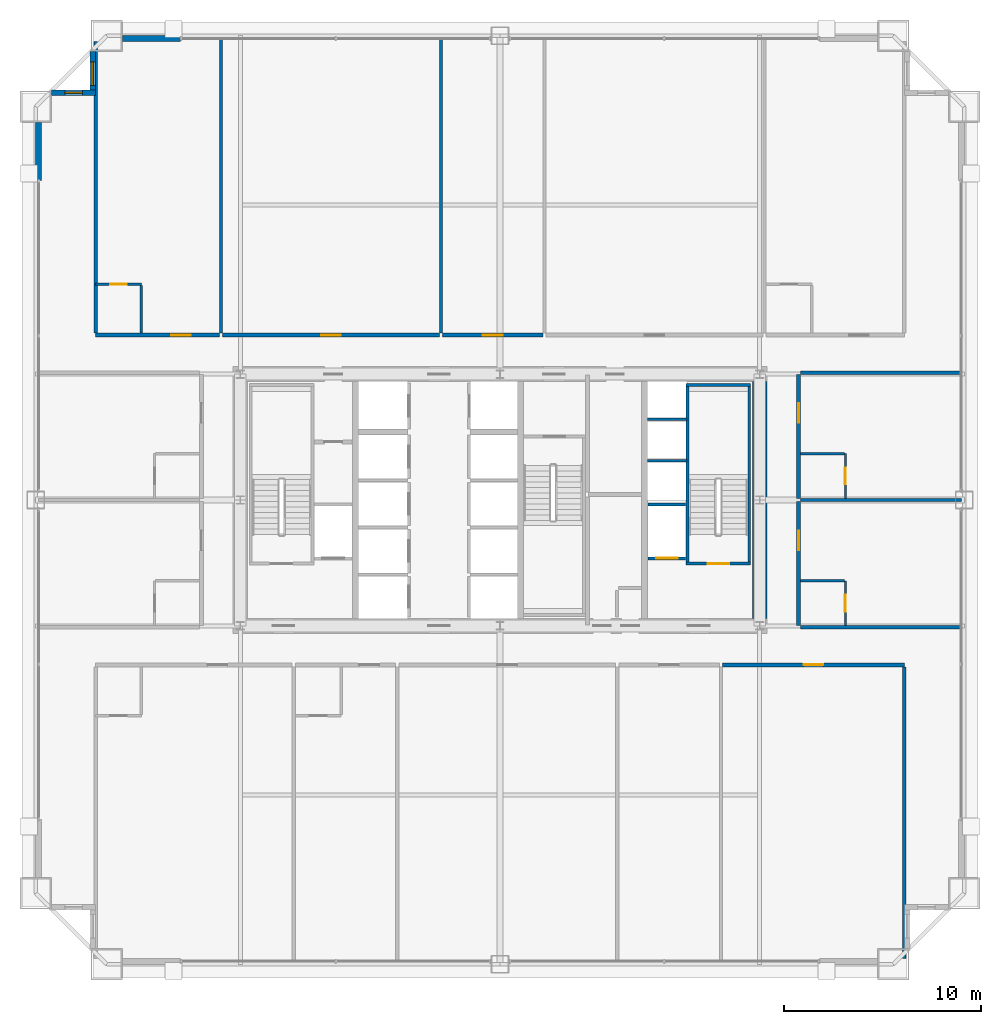
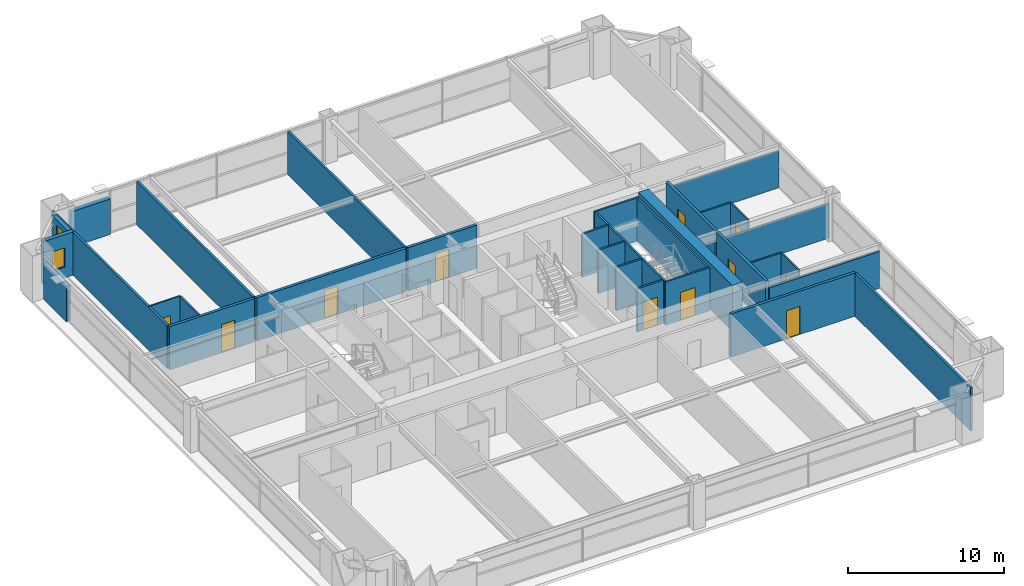
# One storey, part 37 of 39: 32 walls, 11 doors, 2 windows, 13 openings.
"""IFC4 building model written with IfcOpenShell, lengths in metres."""

from ifc_helpers import new_model, si_unit, direction, frame, frame_2d, origin, place, context, subcontext, project, spatial, rectangle, extrude, source, transform, mapped, material, layer, layer_set, type_object, element, fill, save


model = new_model("IFC4")

# Units and contexts
model_context = context("Model", 3, precision=1e-05, world=origin(), true_north=direction((0.0, 1.0)))
body_context = subcontext(model_context, "Body", "Model", "MODEL_VIEW")
ifc_project = project(units=[si_unit("LENGTHUNIT", "METRE"), si_unit("AREAUNIT", "SQUARE_METRE"), si_unit("VOLUMEUNIT", "CUBIC_METRE"), si_unit("PLANEANGLEUNIT", "RADIAN"), si_unit("MASSUNIT", "GRAM", prefix="KILO"), si_unit("THERMODYNAMICTEMPERATUREUNIT", "KELVIN"), si_unit("POWERUNIT", "WATT")], contexts=[model_context])

# Site, building, storey
site_placement = place(None, origin())
site = spatial("IfcSite", under=ifc_project, at=site_placement, CompositionType="ELEMENT")
building_placement = place(site_placement, origin())
building = spatial("IfcBuilding", under=site, at=building_placement, Name="Yuzanri Waterfront Tower", CompositionType="ELEMENT")
storey_placement = place(building_placement, frame((0.0, 0.0, 134.39990234375)))
storey = spatial("IfcBuildingStorey", under=building, at=storey_placement, Name="L35", CompositionType="ELEMENT", Elevation=134.39990234375)

# Wall, opening, door
ifc_material_1 = material(Name="Moisture-Resistant Gypsum Stud Wall", Category="gypsum")
ifc_layer_1 = layer(ifc_material_1, 0.1201171875)
ifc_layer_set_1 = layer_set([ifc_layer_1], Name="Moisture-Resistant Gypsum Stud Wall")
wall_type_1 = type_object("IfcWallType", Name="Bathroom and Kitchen Wet Partition 120", PredefinedType="PARTITIONING", material=ifc_layer_set_1)
wall_1_placement = place(storey_placement, frame((16.43994140625, 36.760009765625, 0.0), z_axis=(0.0, 0.0, 1.0), x_axis=(1.0, 0.0, 0.0)))
wall_1 = element("IfcWall", 1, at=wall_1_placement, inside=storey, type_object=wall_type_1, Name="L35 Partition UW-L35-N1-BN", PredefinedType="PARTITIONING", context=body_context, shape_type="SweptSolid", body=[
    extrude(rectangle(XDim=2.330078125, YDim=0.1201171875, at=frame_2d((1.1650390625, 0.0))), origin(), (0.0, 0.0, 1.0), 3.380126953125),
])
opening_1_placement = place(wall_1_placement, frame((0.739990234375, 0.0, 0.0)))
opening_1 = element("IfcOpeningElement", 2, at=opening_1_placement, cuts=wall_1, Name="Opening ID-0850", PredefinedType="OPENING", context=body_context, shape_type="SweptSolid", body=[
    extrude(rectangle(XDim=0.85009765625, YDim=2.10009765625, at=frame_2d((0.425048828125, 1.050048828125))), frame((0.0, 0.074951171875, 0.0), z_axis=(0.0, -1.0, 0.0), x_axis=(1.0, 0.0, 0.0)), (0.0, 0.0, 1.0), 0.14990234375),
])
ifc_material_2 = material(Name="Moisture-Resistant Lacquered Timber", Category="wood")
door_type_1 = type_object("IfcDoorType", Name="En-Suite Bathroom and Kitchen Swing Door 850x2100", OperationType="NOTDEFINED", PredefinedType="DOOR", material=ifc_material_2)
shared_shape_1 = source(origin(), body_context, "Body", "SweptSolid", [
    extrude(rectangle(XDim=0.85009765625, YDim=2.10009765625, at=frame_2d((0.425048828125, 1.050048828125))), frame((0.0, 0.02490234375, 0.0), z_axis=(0.0, -1.0, 0.0), x_axis=(1.0, 0.0, 0.0)), (0.0, 0.0, 1.0), 0.050048828125),
])
door_1_placement = place(opening_1_placement, origin())
door_1 = element("IfcDoor", 3, at=door_1_placement, inside=storey, type_object=door_type_1, Name="L35 Guest En-Suite Door", OperationType="SINGLE_SWING_LEFT", OverallHeight=2.10009765625, OverallWidth=0.85009765625, PredefinedType="DOOR", context=body_context, shape_type="MappedRepresentation", body=[
    mapped(shared_shape_1, transform((0.0, 0.0, 0.0), scale=1.0)),
])
fill(opening_1, door_1)

wall_2_placement = place(storey_placement, frame((54.56005859375, 19.409912109375, 0.0), z_axis=(0.0, 0.0, 1.0), x_axis=(0.0, 1.0, 0.0)))
wall_2 = element("IfcWall", 4, at=wall_2_placement, inside=storey, type_object=wall_type_1, Name="L35 Partition UW-L35-E1-BE2", PredefinedType="PARTITIONING", context=body_context, shape_type="SweptSolid", body=[
    extrude(rectangle(XDim=2.280029296875, YDim=0.1201171875, at=frame_2d((1.14013671875, 0.0))), origin(), (0.0, 0.0, 1.0), 3.380126953125),
])
opening_2_placement = place(wall_2_placement, frame((0.715087890625, 0.0, 0.0)))
opening_2 = element("IfcOpeningElement", 5, at=opening_2_placement, cuts=wall_2, Name="Opening ID-0850", PredefinedType="OPENING", context=body_context, shape_type="SweptSolid", body=[
    extrude(rectangle(XDim=0.85009765625, YDim=2.10009765625, at=frame_2d((0.425048828125, 1.050048828125))), frame((0.0, 0.074951171875, 0.0), z_axis=(0.0, -1.0, 0.0), x_axis=(1.0, 0.0, 0.0)), (0.0, 0.0, 1.0), 0.14990234375),
])
door_2_placement = place(opening_2_placement, origin())
door_2 = element("IfcDoor", 6, at=door_2_placement, inside=storey, type_object=door_type_1, Name="L35 Guest En-Suite Door", OperationType="SINGLE_SWING_RIGHT", OverallHeight=2.10009765625, OverallWidth=0.85009765625, PredefinedType="DOOR", context=body_context, shape_type="MappedRepresentation", body=[
    mapped(shared_shape_1, transform((0.0, 0.0, 0.0), scale=1.0)),
])
fill(opening_2, door_2)

wall_3_placement = place(storey_placement, frame((54.56005859375, 25.8798828125, 0.0), z_axis=(0.0, 0.0, 1.0), x_axis=(0.0, 1.0, 0.0)))
wall_3 = element("IfcWall", 7, at=wall_3_placement, inside=storey, type_object=wall_type_1, Name="L35 Partition UW-L35-E2-BE2", PredefinedType="PARTITIONING", context=body_context, shape_type="SweptSolid", body=[
    extrude(rectangle(XDim=2.280029296875, YDim=0.1201171875, at=frame_2d((1.14013671875, 0.0))), origin(), (0.0, 0.0, 1.0), 3.380126953125),
])
opening_3_placement = place(wall_3_placement, frame((0.715087890625, 0.0, 0.0)))
opening_3 = element("IfcOpeningElement", 8, at=opening_3_placement, cuts=wall_3, Name="Opening ID-0850", PredefinedType="OPENING", context=body_context, shape_type="SweptSolid", body=[
    extrude(rectangle(XDim=0.85009765625, YDim=2.10009765625, at=frame_2d((0.425048828125, 1.050048828125))), frame((0.0, 0.074951171875, 0.0), z_axis=(0.0, -1.0, 0.0), x_axis=(1.0, 0.0, 0.0)), (0.0, 0.0, 1.0), 0.14990234375),
])
door_3_placement = place(opening_3_placement, origin())
door_3 = element("IfcDoor", 9, at=door_3_placement, inside=storey, type_object=door_type_1, Name="L35 Guest En-Suite Door", OperationType="SINGLE_SWING_RIGHT", OverallHeight=2.10009765625, OverallWidth=0.85009765625, PredefinedType="DOOR", context=body_context, shape_type="MappedRepresentation", body=[
    mapped(shared_shape_1, transform((0.0, 0.0, 0.0), scale=1.0)),
])
fill(opening_3, door_3)

# Wall, opening, window
ifc_material_3 = material(Name="Honed Chongqing Dark Basalt Stone", Category="masonry")
ifc_layer_2 = layer(ifc_material_3, 0.300048828125)
ifc_layer_set_2 = layer_set([ifc_layer_2], Name="Honed Chongqing Dark Basalt Stone")
wall_type_2 = type_object("IfcWallType", Name="Bronze Rainscreen Insulated Spandrel Portal Wall 300", PredefinedType="SOLIDWALL", material=ifc_layer_set_2)
wall_4_placement = place(storey_placement, frame((16.449951171875, 46.5, 0.0), z_axis=(0.0, 0.0, 1.0), x_axis=(-1.0, 0.0, 0.0)))
wall_4 = element("IfcWall", 10, at=wall_4_placement, inside=storey, type_object=wall_type_2, Name="L35 Notched Corner Masonry Wall NW-X", PredefinedType="SOLIDWALL", context=body_context, shape_type="SweptSolid", body=[
    extrude(rectangle(XDim=2.25, YDim=0.300048828125, at=frame_2d((1.125, 0.0))), origin(), (0.0, 0.0, 1.0), 3.380126953125),
])
opening_4_placement = place(wall_4_placement, frame((0.675048828125, 0.0, 0.85009765625)))
opening_4 = element("IfcOpeningElement", 11, at=opening_4_placement, cuts=wall_4, Name="Opening WN-05", PredefinedType="OPENING", context=body_context, shape_type="SweptSolid", body=[
    extrude(rectangle(XDim=0.89990234375, YDim=1.5, at=frame_2d((0.449951171875, 0.75))), frame((0.0, 0.1650390625, 0.0), z_axis=(0.0, -1.0, 0.0), x_axis=(1.0, 0.0, 0.0)), (0.0, 0.0, 1.0), 0.329833984375),
])
ifc_material_4 = material(Name="Double-Silver Low-E Insulated Glass", Category="glass")
window_type_1 = type_object("IfcWindowType", Name="Anodized Bronze Service and Stairwell Smoke-Vent Window 900x1500", PartitioningType="SINGLE_PANEL", PredefinedType="WINDOW", material=ifc_material_4)
shared_shape_2 = source(origin(), body_context, "Body", "SweptSolid", [
    extrude(rectangle(XDim=0.89990234375, YDim=1.5, at=frame_2d((0.449951171875, 0.75))), frame((0.0, 0.030029296875, 0.0), z_axis=(0.0, -1.0, 0.0), x_axis=(1.0, 0.0, 0.0)), (0.0, 0.0, 1.0), 0.06005859375),
])
window_1_placement = place(opening_4_placement, origin())
window_1 = element("IfcWindow", 12, at=window_1_placement, inside=storey, type_object=window_type_1, Name="L35 Notched Corner Window NW-X", OverallHeight=1.5, OverallWidth=0.89990234375, PartitioningType="SINGLE_PANEL", PredefinedType="WINDOW", context=body_context, shape_type="MappedRepresentation", body=[
    mapped(shared_shape_2, transform((0.0, 0.0, 0.0), scale=1.0)),
])
fill(opening_4, window_1)

wall_5_placement = place(storey_placement, frame((16.300048828125, 48.60009765625, 0.0), z_axis=(0.0, 0.0, 1.0), x_axis=(0.0, -1.0, 0.0)))
wall_5 = element("IfcWall", 13, at=wall_5_placement, inside=storey, type_object=wall_type_2, Name="L35 Notched Corner Masonry Wall NW-Y", PredefinedType="SOLIDWALL", context=body_context, shape_type="SweptSolid", body=[
    extrude(rectangle(XDim=2.25, YDim=0.300048828125, at=frame_2d((1.125, 0.0))), origin(), (0.0, 0.0, 1.0), 3.380126953125),
])
opening_5_placement = place(wall_5_placement, frame((0.52490234375, 0.0, 0.85009765625)))
opening_5 = element("IfcOpeningElement", 14, at=opening_5_placement, cuts=wall_5, Name="Opening WN-02", PredefinedType="OPENING", context=body_context, shape_type="SweptSolid", body=[
    extrude(rectangle(XDim=1.199951171875, YDim=2.10009765625, at=frame_2d((0.60009765625, 1.050048828125))), frame((0.0, 0.1650390625, 0.0), z_axis=(0.0, -1.0, 0.0), x_axis=(1.0, 0.0, 0.0)), (0.0, 0.0, 1.0), 0.329833984375),
])
ifc_material_5 = material(Name="Double-Silver Low-E Insulated Glass", Category="glass")
window_type_2 = type_object("IfcWindowType", Name="Anodized Bronze Notched Corner Deep-Set Slot Window 1200x2100", PartitioningType="SINGLE_PANEL", PredefinedType="WINDOW", material=ifc_material_5)
shared_shape_3 = source(origin(), body_context, "Body", "SweptSolid", [
    extrude(rectangle(XDim=1.199951171875, YDim=2.10009765625, at=frame_2d((0.60009765625, 1.050048828125))), frame((0.0, 0.030029296875, 0.0), z_axis=(0.0, -1.0, 0.0), x_axis=(1.0, 0.0, 0.0)), (0.0, 0.0, 1.0), 0.06005859375),
])
window_2_placement = place(opening_5_placement, origin())
window_2 = element("IfcWindow", 15, at=window_2_placement, inside=storey, type_object=window_type_2, Name="L35 Notched Corner Window NW-Y", OverallHeight=2.10009765625, OverallWidth=1.199951171875, PartitioningType="SINGLE_PANEL", PredefinedType="WINDOW", context=body_context, shape_type="MappedRepresentation", body=[
    mapped(shared_shape_3, transform((0.0, 0.0, 0.0), scale=1.0)),
])
fill(opening_5, window_2)

# Wall, opening, door
ifc_material_6 = material(Name="Concrete C40", Category="concrete")
ifc_layer_3 = layer(ifc_material_6, 0.139892578125)
ifc_layer_set_3 = layer_set([ifc_layer_3], Name="Concrete C40")
wall_type_3 = type_object("IfcWallType", Name="Core Stair Liner and Hoistway Shaft Wall 140", PredefinedType="SOLIDWALL", material=ifc_layer_set_3)
wall_6_placement = place(storey_placement, frame((44.52001953125, 22.830078125, 0.0), z_axis=(0.0, 0.0, 1.0), x_axis=(1.0, 0.0, 0.0)))
wall_6 = element("IfcWall", 16, at=wall_6_placement, inside=storey, type_object=wall_type_3, Name="L35 Lift FL-02 Front Shaft Wall", PredefinedType="SOLIDWALL", context=body_context, shape_type="SweptSolid", body=[
    extrude(rectangle(XDim=1.919921875, YDim=0.139892578125, at=frame_2d((0.9599609375, 0.0))), origin(), (0.0, 0.0, 1.0), 3.380126953125),
])
opening_6_placement = place(wall_6_placement, frame((0.409912109375, 0.0, 0.0)))
opening_6 = element("IfcOpeningElement", 17, at=opening_6_placement, cuts=wall_6, Name="Opening LD-FL-02", PredefinedType="OPENING", context=body_context, shape_type="SweptSolid", body=[
    extrude(rectangle(XDim=1.10009765625, YDim=2.199951171875, at=frame_2d((0.550048828125, 1.10009765625))), frame((0.0, 0.0849609375, 0.0), z_axis=(0.0, -1.0, 0.0), x_axis=(1.0, 0.0, 0.0)), (0.0, 0.0, 1.0), 0.169677734375),
])
ifc_material_7 = material(Name="Brushed Bronze and Stainless Steel Cab", Category="steel")
door_type_2 = type_object("IfcDoorType", Name="Center-Parting Bronze Lift Landing Sliding Door 1100x2200", OperationType="NOTDEFINED", PredefinedType="DOOR", material=ifc_material_7)
shared_shape_4 = source(origin(), body_context, "Body", "SweptSolid", [
    extrude(rectangle(XDim=1.10009765625, YDim=2.199951171875, at=frame_2d((0.550048828125, 1.10009765625))), frame((0.0, 0.02490234375, 0.0), z_axis=(0.0, -1.0, 0.0), x_axis=(1.0, 0.0, 0.0)), (0.0, 0.0, 1.0), 0.050048828125),
])
door_4_placement = place(opening_6_placement, origin())
door_4 = element("IfcDoor", 18, at=door_4_placement, inside=storey, type_object=door_type_2, Name="L35 FL-02 Lift Landing Sliding Door", OperationType="SLIDING_TO_RIGHT", OverallHeight=2.199951171875, OverallWidth=1.10009765625, PredefinedType="DOOR", context=body_context, shape_type="MappedRepresentation", body=[
    mapped(shared_shape_4, transform((0.0, 0.0, 0.0), scale=1.0)),
])
fill(opening_6, door_4)

wall_7_placement = place(storey_placement, frame((46.4599609375, 22.570068359375, 0.0), z_axis=(0.0, 0.0, 1.0), x_axis=(1.0, 0.0, 0.0)))
wall_7 = element("IfcWall", 19, at=wall_7_placement, inside=storey, type_object=wall_type_3, Name="L35 Shaft Wall STW-L35-ST-02-S", PredefinedType="SOLIDWALL", context=body_context, shape_type="SweptSolid", body=[
    extrude(rectangle(XDim=3.280029296875, YDim=0.139892578125, at=frame_2d((1.64013671875, 0.0))), origin(), (0.0, 0.0, 1.0), 3.380126953125),
])
opening_7_placement = place(wall_7_placement, frame((1.090087890625, 0.0, 0.0)))
opening_7 = element("IfcOpeningElement", 20, at=opening_7_placement, cuts=wall_7, Name="Opening FD-1100", PredefinedType="OPENING", context=body_context, shape_type="SweptSolid", body=[
    extrude(rectangle(XDim=1.10009765625, YDim=2.199951171875, at=frame_2d((0.550048828125, 1.10009765625))), frame((0.0, 0.0849609375, 0.0), z_axis=(0.0, -1.0, 0.0), x_axis=(1.0, 0.0, 0.0)), (0.0, 0.0, 1.0), 0.169677734375),
])
ifc_material_8 = material(Name="Painted Galvanized Fire Steel", Category="steel")
door_type_3 = type_object("IfcDoorType", Name="Smoke-Proof Stair and Lobby Fire Door 1100x2200", OperationType="NOTDEFINED", PredefinedType="DOOR", material=ifc_material_8)
shared_shape_5 = source(origin(), body_context, "Body", "SweptSolid", [
    extrude(rectangle(XDim=1.10009765625, YDim=2.199951171875, at=frame_2d((0.550048828125, 1.10009765625))), frame((0.0, 0.02490234375, 0.0), z_axis=(0.0, -1.0, 0.0), x_axis=(1.0, 0.0, 0.0)), (0.0, 0.0, 1.0), 0.050048828125),
])
door_5_placement = place(opening_7_placement, origin())
door_5 = element("IfcDoor", 21, at=door_5_placement, inside=storey, type_object=door_type_3, Name="L35 Stair ST-02 Fire Door", OperationType="SINGLE_SWING_LEFT", OverallHeight=2.199951171875, OverallWidth=1.10009765625, PredefinedType="DOOR", context=body_context, shape_type="MappedRepresentation", body=[
    mapped(shared_shape_5, transform((0.0, 0.0, 0.0), scale=1.0)),
])
fill(opening_7, door_5)

ifc_material_9 = material(Name="Autoclaved Aerated Concrete Blockwork", Category="masonry")
ifc_layer_4 = layer(ifc_material_9, 0.199951171875)
ifc_layer_set_4 = layer_set([ifc_layer_4], Name="Autoclaved Aerated Concrete Blockwork")
wall_type_4 = type_object("IfcWallType", Name="Corridor and Unit Party Fire Wall 200", PredefinedType="PARTITIONING", material=ifc_layer_set_4)
wall_8_placement = place(storey_placement, frame((48.305908203125, 17.419921875, 0.0), z_axis=(0.0, 0.0, 1.0), x_axis=(1.0, 0.0, 0.0)))
wall_8 = element("IfcWall", 22, at=wall_8_placement, inside=storey, type_object=wall_type_4, Name="L35 Partition UW-L35-S5-CN", PredefinedType="PARTITIONING", context=body_context, shape_type="SweptSolid", body=[
    extrude(rectangle(XDim=9.254150390625, YDim=0.199951171875, at=frame_2d((4.626953125, 0.0))), origin(), (0.0, 0.0, 1.0), 3.380126953125),
])
opening_8_placement = place(wall_8_placement, frame((4.126953125, 0.0, 0.0)))
opening_8 = element("IfcOpeningElement", 23, at=opening_8_placement, cuts=wall_8, Name="Opening FD-1000", PredefinedType="OPENING", context=body_context, shape_type="SweptSolid", body=[
    extrude(rectangle(XDim=1.0, YDim=2.199951171875, at=frame_2d((0.5, 1.10009765625))), frame((0.0, 0.11474609375, 0.0), z_axis=(0.0, -1.0, 0.0), x_axis=(1.0, 0.0, 0.0)), (0.0, 0.0, 1.0), 0.229736328125),
])
ifc_material_10 = material(Name="Engineered Oak Fire-Rated Timber", Category="wood")
door_type_4 = type_object("IfcDoorType", Name="Guestroom and Apartment Entrance Fire Door 1000x2200", OperationType="NOTDEFINED", PredefinedType="DOOR", material=ifc_material_10)
shared_shape_6 = source(origin(), body_context, "Body", "SweptSolid", [
    extrude(rectangle(XDim=1.0, YDim=2.199951171875, at=frame_2d((0.5, 1.10009765625))), frame((0.0, 0.02490234375, 0.0), z_axis=(0.0, -1.0, 0.0), x_axis=(1.0, 0.0, 0.0)), (0.0, 0.0, 1.0), 0.050048828125),
])
door_6_placement = place(opening_8_placement, origin())
door_6 = element("IfcDoor", 24, at=door_6_placement, inside=storey, type_object=door_type_4, Name="L35 Spin Gym Studio Entrance Door", OperationType="SINGLE_SWING_LEFT", OverallHeight=2.199951171875, OverallWidth=1.0, PredefinedType="DOOR", context=body_context, shape_type="MappedRepresentation", body=[
    mapped(shared_shape_6, transform((0.0, 0.0, 0.0), scale=1.0)),
])
fill(opening_8, door_6)

wall_9_placement = place(storey_placement, frame((16.43994140625, 34.179931640625, 0.0), z_axis=(0.0, 0.0, 1.0), x_axis=(1.0, 0.0, 0.0)))
wall_9 = element("IfcWall", 25, at=wall_9_placement, inside=storey, type_object=wall_type_4, Name="L35 Partition UW-L35-N1-CS", PredefinedType="PARTITIONING", context=body_context, shape_type="SweptSolid", body=[
    extrude(rectangle(XDim=6.2939453125, YDim=0.199951171875, at=frame_2d((3.14697265625, 0.0))), origin(), (0.0, 0.0, 1.0), 3.380126953125),
])
opening_9_placement = place(wall_9_placement, frame((3.85205078125, 0.0, 0.0)))
opening_9 = element("IfcOpeningElement", 26, at=opening_9_placement, cuts=wall_9, Name="Opening FD-1000", PredefinedType="OPENING", context=body_context, shape_type="SweptSolid", body=[
    extrude(rectangle(XDim=1.0, YDim=2.199951171875, at=frame_2d((0.5, 1.10009765625))), frame((0.0, 0.11474609375, 0.0), z_axis=(0.0, -1.0, 0.0), x_axis=(1.0, 0.0, 0.0)), (0.0, 0.0, 1.0), 0.229736328125),
])
door_7_placement = place(opening_9_placement, origin())
door_7 = element("IfcDoor", 27, at=door_7_placement, inside=storey, type_object=door_type_4, Name="L35 Cityview Suite Entrance Door", OperationType="SINGLE_SWING_RIGHT", OverallHeight=2.199951171875, OverallWidth=1.0, PredefinedType="DOOR", context=body_context, shape_type="MappedRepresentation", body=[
    mapped(shared_shape_6, transform((0.0, 0.0, 0.0), scale=1.0)),
])
fill(opening_9, door_7)

wall_10_placement = place(storey_placement, frame((22.89404296875, 34.179931640625, 0.0), z_axis=(0.0, 0.0, 1.0), x_axis=(1.0, 0.0, 0.0)))
wall_10 = element("IfcWall", 28, at=wall_10_placement, inside=storey, type_object=wall_type_4, Name="L35 Partition UW-L35-N2-CS", PredefinedType="PARTITIONING", context=body_context, shape_type="SweptSolid", body=[
    extrude(rectangle(XDim=11.02392578125, YDim=0.199951171875, at=frame_2d((5.511962890625, 0.0))), origin(), (0.0, 0.0, 1.0), 3.380126953125),
])
opening_10_placement = place(wall_10_placement, frame((5.011962890625, 0.0, 0.0)))
opening_10 = element("IfcOpeningElement", 29, at=opening_10_placement, cuts=wall_10, Name="Opening FD-1000", PredefinedType="OPENING", context=body_context, shape_type="SweptSolid", body=[
    extrude(rectangle(XDim=1.0, YDim=2.199951171875, at=frame_2d((0.5, 1.10009765625))), frame((0.0, 0.11474609375, 0.0), z_axis=(0.0, -1.0, 0.0), x_axis=(1.0, 0.0, 0.0)), (0.0, 0.0, 1.0), 0.229736328125),
])
door_8_placement = place(opening_10_placement, origin())
door_8 = element("IfcDoor", 30, at=door_8_placement, inside=storey, type_object=door_type_4, Name="L35 Meeting Room 1 Entrance Door", OperationType="SINGLE_SWING_RIGHT", OverallHeight=2.199951171875, OverallWidth=1.0, PredefinedType="DOOR", context=body_context, shape_type="MappedRepresentation", body=[
    mapped(shared_shape_6, transform((0.0, 0.0, 0.0), scale=1.0)),
])
fill(opening_10, door_8)

wall_11_placement = place(storey_placement, frame((34.077880859375, 34.179931640625, 0.0), z_axis=(0.0, 0.0, 1.0), x_axis=(1.0, 0.0, 0.0)))
wall_11 = element("IfcWall", 31, at=wall_11_placement, inside=storey, type_object=wall_type_4, Name="L35 Partition UW-L35-N3-CS", PredefinedType="PARTITIONING", context=body_context, shape_type="SweptSolid", body=[
    extrude(rectangle(XDim=5.10400390625, YDim=0.199951171875, at=frame_2d((2.552001953125, 0.0))), origin(), (0.0, 0.0, 1.0), 3.380126953125),
])
opening_11_placement = place(wall_11_placement, frame((2.052001953125, 0.0, 0.0)))
opening_11 = element("IfcOpeningElement", 32, at=opening_11_placement, cuts=wall_11, Name="Opening FD-1000", PredefinedType="OPENING", context=body_context, shape_type="SweptSolid", body=[
    extrude(rectangle(XDim=1.0, YDim=2.199951171875, at=frame_2d((0.5, 1.10009765625))), frame((0.0, 0.11474609375, 0.0), z_axis=(0.0, -1.0, 0.0), x_axis=(1.0, 0.0, 0.0)), (0.0, 0.0, 1.0), 0.229736328125),
])
door_9_placement = place(opening_11_placement, origin())
door_9 = element("IfcDoor", 33, at=door_9_placement, inside=storey, type_object=door_type_4, Name="L35 Meeting Room 2 Entrance Door", OperationType="SINGLE_SWING_LEFT", OverallHeight=2.199951171875, OverallWidth=1.0, PredefinedType="DOOR", context=body_context, shape_type="MappedRepresentation", body=[
    mapped(shared_shape_6, transform((0.0, 0.0, 0.0), scale=1.0)),
])
fill(opening_11, door_9)

wall_12_placement = place(storey_placement, frame((52.179931640625, 19.409912109375, 0.0), z_axis=(0.0, 0.0, 1.0), x_axis=(0.0, 1.0, 0.0)))
wall_12 = element("IfcWall", 34, at=wall_12_placement, inside=storey, type_object=wall_type_4, Name="L35 Partition UW-L35-E1-CW", PredefinedType="PARTITIONING", context=body_context, shape_type="SweptSolid", body=[
    extrude(rectangle(XDim=6.31005859375, YDim=0.199951171875, at=frame_2d((3.155029296875, 0.0))), origin(), (0.0, 0.0, 1.0), 3.380126953125),
])
opening_12_placement = place(wall_12_placement, frame((3.8349609375, 0.0, 0.0)))
opening_12 = element("IfcOpeningElement", 35, at=opening_12_placement, cuts=wall_12, Name="Opening FD-1000", PredefinedType="OPENING", context=body_context, shape_type="SweptSolid", body=[
    extrude(rectangle(XDim=1.0, YDim=2.199951171875, at=frame_2d((0.5, 1.10009765625))), frame((0.0, 0.11474609375, 0.0), z_axis=(0.0, -1.0, 0.0), x_axis=(1.0, 0.0, 0.0)), (0.0, 0.0, 1.0), 0.229736328125),
])
door_10_placement = place(opening_12_placement, origin())
door_10 = element("IfcDoor", 36, at=door_10_placement, inside=storey, type_object=door_type_4, Name="L35 East Guest Room Entrance Door", OperationType="SINGLE_SWING_LEFT", OverallHeight=2.199951171875, OverallWidth=1.0, PredefinedType="DOOR", context=body_context, shape_type="MappedRepresentation", body=[
    mapped(shared_shape_6, transform((0.0, 0.0, 0.0), scale=1.0)),
])
fill(opening_12, door_10)

wall_13_placement = place(storey_placement, frame((52.179931640625, 25.8798828125, 0.0), z_axis=(0.0, 0.0, 1.0), x_axis=(0.0, 1.0, 0.0)))
wall_13 = element("IfcWall", 37, at=wall_13_placement, inside=storey, type_object=wall_type_4, Name="L35 Partition UW-L35-E2-CW", PredefinedType="PARTITIONING", context=body_context, shape_type="SweptSolid", body=[
    extrude(rectangle(XDim=6.31005859375, YDim=0.199951171875, at=frame_2d((3.155029296875, 0.0))), origin(), (0.0, 0.0, 1.0), 3.380126953125),
])
opening_13_placement = place(wall_13_placement, frame((3.8349609375, 0.0, 0.0)))
opening_13 = element("IfcOpeningElement", 38, at=opening_13_placement, cuts=wall_13, Name="Opening FD-1000", PredefinedType="OPENING", context=body_context, shape_type="SweptSolid", body=[
    extrude(rectangle(XDim=1.0, YDim=2.199951171875, at=frame_2d((0.5, 1.10009765625))), frame((0.0, 0.11474609375, 0.0), z_axis=(0.0, -1.0, 0.0), x_axis=(1.0, 0.0, 0.0)), (0.0, 0.0, 1.0), 0.229736328125),
])
door_11_placement = place(opening_13_placement, origin())
door_11 = element("IfcDoor", 39, at=door_11_placement, inside=storey, type_object=door_type_4, Name="L35 East Guest Room Entrance Door", OperationType="SINGLE_SWING_LEFT", OverallHeight=2.199951171875, OverallWidth=1.0, PredefinedType="DOOR", context=body_context, shape_type="MappedRepresentation", body=[
    mapped(shared_shape_6, transform((0.0, 0.0, 0.0), scale=1.0)),
])
fill(opening_13, door_11)

# Walls
ifc_material_11 = material(Name="Concrete C55", Category="concrete")
ifc_layer_5 = layer(ifc_material_11, 0.75)
ifc_layer_set_5 = layer_set([ifc_layer_5], Name="Concrete C55")
wall_type_5 = type_object("IfcWallType", Name="Concrete C55 Low-Mid Zone Core Shear Wall 750", PredefinedType="SHEAR", material=ifc_layer_set_5)
shared_shape_7 = source(origin(), body_context, "Body", "SweptSolid", [
    extrude(rectangle(XDim=12.050048828125, YDim=0.75, at=frame_2d((6.02490234375, 0.0))), origin(), (0.0, 0.0, 1.0), 3.60009765625),
])
wall_14_placement = place(storey_placement, frame((50.199951171875, 19.77490234375, 0.0), z_axis=(0.0, 0.0, 1.0), x_axis=(0.0, 1.0, 0.0)))
element("IfcWall", 40, at=wall_14_placement, inside=storey, type_object=wall_type_5, Name="L35 Core East Shear Wall", PredefinedType="SHEAR", context=body_context, shape_type="MappedRepresentation", body=[
    mapped(shared_shape_7, transform((0.0, 0.0, 0.0), scale=1.0)),
])
shared_shape_8 = source(origin(), body_context, "Body", "SweptSolid", [
    extrude(rectangle(XDim=2.949951171875, YDim=0.300048828125, at=frame_2d((1.47509765625, 0.0))), origin(), (0.0, 0.0, 1.0), 2.775146484375),
])
for number, where, z_axis, x_axis, name in (
    (41, (17.800048828125, 49.25, 0.0), (0.0, 0.0, 1.0), (1.0, 0.0, 0.0), "L35 N Left Braced Masonry Shoulder"),
    (42, (13.550048828125, 42.050048828125, 0.0), (0.0, 0.0, 1.0), (0.0, 1.0, 0.0), "L35 W Right Braced Masonry Shoulder"),
):
    element("IfcWall", number, at=place(storey_placement, frame(where, z_axis=z_axis, x_axis=x_axis)), inside=storey, type_object=wall_type_2, Name=name, PredefinedType="SOLIDWALL", context=body_context, shape_type="MappedRepresentation", body=[
        mapped(shared_shape_8, transform((0.0, 0.0, 0.0), scale=1.0)),
    ])
shared_shape_9 = source(origin(), body_context, "Body", "SweptSolid", [
    extrude(rectangle(XDim=1.919921875, YDim=0.139892578125, at=frame_2d((0.9599609375, 0.0))), origin(), (0.0, 0.0, 1.0), 3.380126953125),
])
wall_15_placement = place(storey_placement, frame((44.52001953125, 25.570068359375, 0.0), z_axis=(0.0, 0.0, 1.0), x_axis=(1.0, 0.0, 0.0)))
element("IfcWall", 43, at=wall_15_placement, inside=storey, type_object=wall_type_3, Name="L35 Lift FL-02 Back Shaft Wall", PredefinedType="SOLIDWALL", context=body_context, shape_type="MappedRepresentation", body=[
    mapped(shared_shape_9, transform((0.0, 0.0, 0.0), scale=1.0)),
])
shared_shape_10 = source(origin(), body_context, "Body", "SweptSolid", [
    extrude(rectangle(XDim=2.0, YDim=0.139892578125, at=frame_2d((1.0, 0.0))), origin(), (0.0, 0.0, 1.0), 3.380126953125),
])
for number, where, z_axis, x_axis, name in (
    (44, (44.5, 27.800048828125, 0.0), (0.0, 0.0, 1.0), (1.0, 0.0, 0.0), "L35 Lift PL-09 Divider Wall"),
    (45, (44.5, 29.89990234375, 0.0), (0.0, 0.0, 1.0), (1.0, 0.0, 0.0), "L35 Lift PL-10 Divider Wall"),
):
    element("IfcWall", number, at=place(storey_placement, frame(where, z_axis=z_axis, x_axis=x_axis)), inside=storey, type_object=wall_type_3, Name=name, PredefinedType="SOLIDWALL", context=body_context, shape_type="MappedRepresentation", body=[
        mapped(shared_shape_10, transform((0.0, 0.0, 0.0), scale=1.0)),
    ])
shared_shape_11 = source(origin(), body_context, "Body", "SweptSolid", [
    extrude(rectangle(XDim=3.280029296875, YDim=0.139892578125, at=frame_2d((1.64013671875, 0.0))), origin(), (0.0, 0.0, 1.0), 3.380126953125),
])
wall_16_placement = place(storey_placement, frame((46.4599609375, 31.64990234375, 0.0), z_axis=(0.0, 0.0, 1.0), x_axis=(1.0, 0.0, 0.0)))
element("IfcWall", 46, at=wall_16_placement, inside=storey, type_object=wall_type_3, Name="L35 Stair ST-02 North Shaft Wall", PredefinedType="SOLIDWALL", context=body_context, shape_type="MappedRepresentation", body=[
    mapped(shared_shape_11, transform((0.0, 0.0, 0.0), scale=1.0)),
])
shared_shape_12 = source(origin(), body_context, "Body", "SweptSolid", [
    extrude(rectangle(XDim=8.940185546875, YDim=0.139892578125, at=frame_2d((4.47021484375, 0.0))), origin(), (0.0, 0.0, 1.0), 3.380126953125),
])
for number, where, z_axis, x_axis, name in (
    (47, (46.530029296875, 22.639892578125, 0.0), (0.0, 0.0, 1.0), (0.0, 1.0, 0.0), "L35 Stair ST-02 West Shaft Wall"),
    (48, (49.669921875, 22.639892578125, 0.0), (0.0, 0.0, 1.0), (0.0, 1.0, 0.0), "L35 Stair ST-02 East Shaft Wall"),
):
    element("IfcWall", number, at=place(storey_placement, frame(where, z_axis=z_axis, x_axis=x_axis)), inside=storey, type_object=wall_type_3, Name=name, PredefinedType="SOLIDWALL", context=body_context, shape_type="MappedRepresentation", body=[
        mapped(shared_shape_12, transform((0.0, 0.0, 0.0), scale=1.0)),
    ])
shared_shape_13 = source(origin(), body_context, "Body", "SweptSolid", [
    extrude(rectangle(XDim=2.419921875, YDim=0.1201171875, at=frame_2d((1.2099609375, 0.0))), origin(), (0.0, 0.0, 1.0), 3.380126953125),
])
wall_17_placement = place(storey_placement, frame((18.77001953125, 34.280029296875, 0.0), z_axis=(0.0, 0.0, 1.0), x_axis=(0.0, 1.0, 0.0)))
element("IfcWall", 49, at=wall_17_placement, inside=storey, type_object=wall_type_1, Name="L35-N1 En-Suite Side Wall", PredefinedType="PARTITIONING", context=body_context, shape_type="MappedRepresentation", body=[
    mapped(shared_shape_13, transform((0.0, 0.0, 0.0), scale=1.0)),
])
shared_shape_14 = source(origin(), body_context, "Body", "SweptSolid", [
    extrude(rectangle(XDim=2.219970703125, YDim=0.1201171875, at=frame_2d((1.10986328125, 0.0))), origin(), (0.0, 0.0, 1.0), 3.380126953125),
])
for number, where, z_axis, x_axis, name in (
    (50, (52.280029296875, 21.68994140625, 0.0), (0.0, 0.0, 1.0), (1.0, 0.0, 0.0), "L35-E1 En-Suite Top Wall"),
    (51, (52.280029296875, 28.159912109375, 0.0), (0.0, 0.0, 1.0), (1.0, 0.0, 0.0), "L35-E2 En-Suite Top Wall"),
):
    element("IfcWall", number, at=place(storey_placement, frame(where, z_axis=z_axis, x_axis=x_axis)), inside=storey, type_object=wall_type_1, Name=name, PredefinedType="PARTITIONING", context=body_context, shape_type="MappedRepresentation", body=[
        mapped(shared_shape_14, transform((0.0, 0.0, 0.0), scale=1.0)),
    ])
ifc_material_12 = material(Name="Gypsum Fireboard Acoustic Stud Wall", Category="gypsum")
ifc_layer_6 = layer(ifc_material_12, 0.159912109375)
ifc_layer_set_6 = layer_set([ifc_layer_6], Name="Gypsum Fireboard Acoustic Stud Wall")
wall_type_6 = type_object("IfcWallType", Name="Acoustic Suite Demising Partition 160", PredefinedType="PARTITIONING", material=ifc_layer_set_6)
shared_shape_15 = source(origin(), body_context, "Body", "SweptSolid", [
    extrude(rectangle(XDim=14.969970703125, YDim=0.159912109375, at=frame_2d((7.48486328125, 0.0))), origin(), (0.0, 0.0, 1.0), 3.380126953125),
])
for number, where, z_axis, x_axis, name in (
    (52, (22.81396484375, 34.280029296875, 0.0), (0.0, 0.0, 1.0), (0.0, 1.0, 0.0), "L35-N1 Party Wall"),
    (53, (33.998046875, 34.280029296875, 0.0), (0.0, 0.0, 1.0), (0.0, 1.0, 0.0), "L35-N2 Party Wall"),
):
    element("IfcWall", number, at=place(storey_placement, frame(where, z_axis=z_axis, x_axis=x_axis)), inside=storey, type_object=wall_type_6, Name=name, PredefinedType="PARTITIONING", context=body_context, shape_type="MappedRepresentation", body=[
        mapped(shared_shape_15, transform((0.0, 0.0, 0.0), scale=1.0)),
    ])
shared_shape_16 = source(origin(), body_context, "Body", "SweptSolid", [
    extrude(rectangle(XDim=14.820068359375, YDim=0.159912109375, at=frame_2d((7.41015625, 0.0))), origin(), (0.0, 0.0, 1.0), 3.380126953125),
])
for number, where, z_axis, x_axis, name in (
    (54, (57.550048828125, 2.5, 0.0), (0.0, 0.0, 1.0), (0.0, 1.0, 0.0), "L35 South Band East End Wall"),
    (55, (16.449951171875, 34.280029296875, 0.0), (0.0, 0.0, 1.0), (0.0, 1.0, 0.0), "L35 North Band West End Wall"),
):
    element("IfcWall", number, at=place(storey_placement, frame(where, z_axis=z_axis, x_axis=x_axis)), inside=storey, type_object=wall_type_6, Name=name, PredefinedType="PARTITIONING", context=body_context, shape_type="MappedRepresentation", body=[
        mapped(shared_shape_16, transform((0.0, 0.0, 0.0), scale=1.0)),
    ])
shared_shape_17 = source(origin(), body_context, "Body", "SweptSolid", [
    extrude(rectangle(XDim=8.169921875, YDim=0.159912109375, at=frame_2d((4.0849609375, 0.0))), origin(), (0.0, 0.0, 1.0), 2.675048828125),
])
wall_18_placement = place(storey_placement, frame((52.280029296875, 25.800048828125, 0.0), z_axis=(0.0, 0.0, 1.0), x_axis=(1.0, 0.0, 0.0)))
element("IfcWall", 56, at=wall_18_placement, inside=storey, type_object=wall_type_6, Name="L35-E1 Wing Party Wall", PredefinedType="PARTITIONING", context=body_context, shape_type="MappedRepresentation", body=[
    mapped(shared_shape_17, transform((0.0, 0.0, 0.0), scale=1.0)),
])
shared_shape_18 = source(origin(), body_context, "Body", "SweptSolid", [
    extrude(rectangle(XDim=8.169921875, YDim=0.159912109375, at=frame_2d((4.0849609375, 0.0))), origin(), (0.0, 0.0, 1.0), 2.875),
])
for number, where, z_axis, x_axis, name in (
    (57, (52.280029296875, 19.330078125, 0.0), (0.0, 0.0, 1.0), (1.0, 0.0, 0.0), "L35-E1 Wing South End Wall"),
    (58, (52.280029296875, 32.27001953125, 0.0), (0.0, 0.0, 1.0), (1.0, 0.0, 0.0), "L35-E2 Wing North End Wall"),
):
    element("IfcWall", number, at=place(storey_placement, frame(where, z_axis=z_axis, x_axis=x_axis)), inside=storey, type_object=wall_type_6, Name=name, PredefinedType="PARTITIONING", context=body_context, shape_type="MappedRepresentation", body=[
        mapped(shared_shape_18, transform((0.0, 0.0, 0.0), scale=1.0)),
    ])

save(model, "model.ifc")
